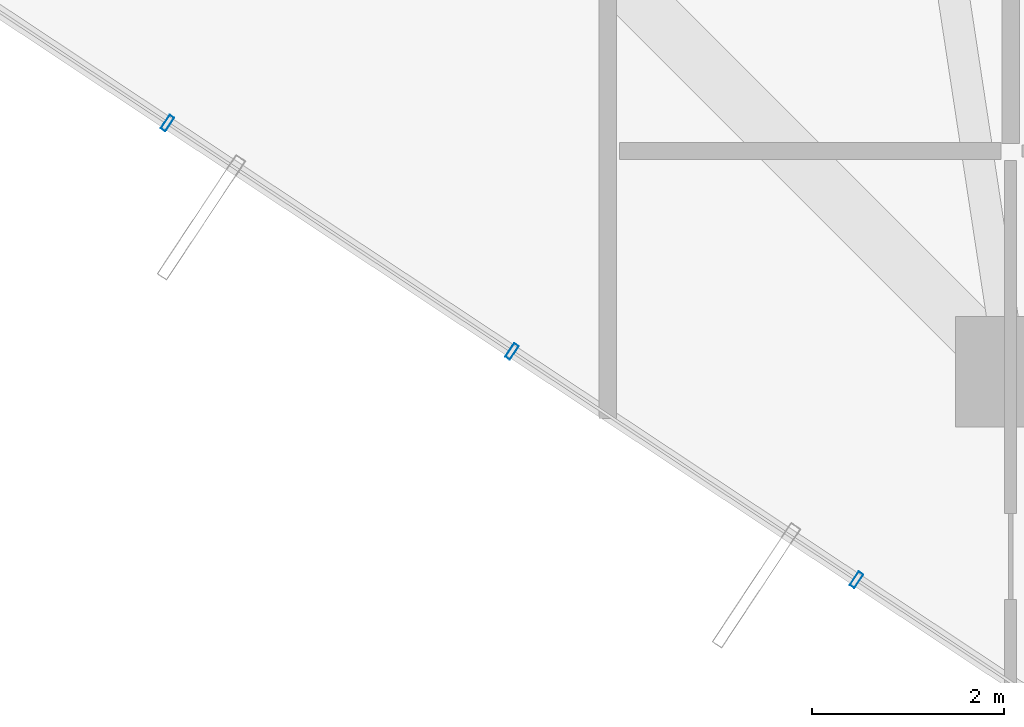
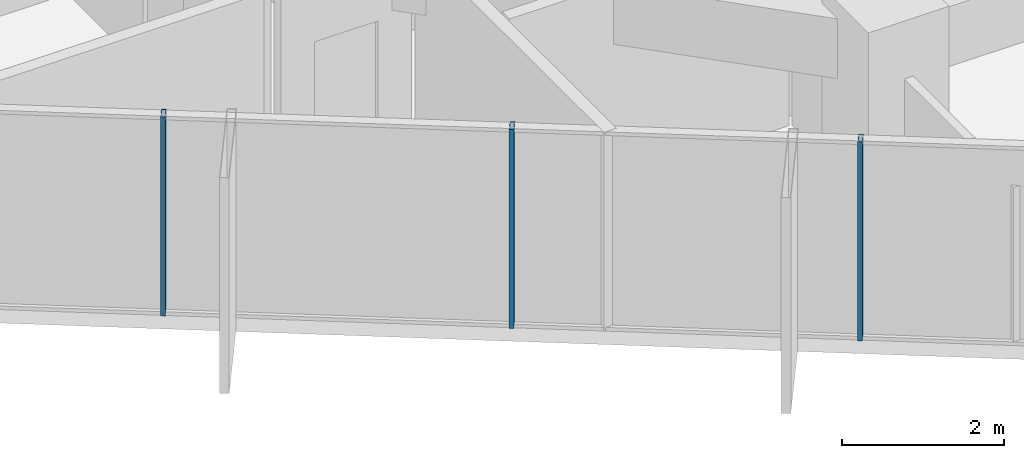
# One storey, part 2 of 30: 3 members, 1 element without a shape of its own.
"""IFC4 building model written with IfcOpenShell, lengths in metres."""

from ifc_helpers import new_model, si_unit, direction, frame, origin, origin_2d, place, context, subcontext, project, spatial, hollow_rectangle, extrude, source, transform, mapped, material, layer, layer_set, material_profile, profile_set, type_object, element, aggregate, save


model = new_model("IFC4")

# Units and contexts
model_context = context("Model", 3, precision=1e-05, world=origin(), true_north=direction((0.0, 1.0)))
body_context = subcontext(model_context, "Body", "Model", "MODEL_VIEW")
ifc_project = project(units=[si_unit("LENGTHUNIT", "METRE"), si_unit("AREAUNIT", "SQUARE_METRE"), si_unit("VOLUMEUNIT", "CUBIC_METRE"), si_unit("PLANEANGLEUNIT", "RADIAN"), si_unit("MASSUNIT", "GRAM", prefix="KILO")], contexts=[model_context])

# Site, building, storey
site_placement = place(None, origin())
site = spatial("IfcSite", under=ifc_project, at=site_placement, CompositionType="ELEMENT")
building_placement = place(site_placement, origin())
building = spatial("IfcBuilding", under=site, at=building_placement, Name="Veraguas Prism Commons", CompositionType="ELEMENT")
storey_placement = place(building_placement, frame((0.0, 0.0, 116.5)))
storey = spatial("IfcBuildingStorey", under=building, at=storey_placement, Name="L32", CompositionType="ELEMENT", Elevation=116.5)

# Curtain wall, members
ifc_material = material(Name="Anodised aluminium EN AW-6063 T6", Category="aluminium")
ifc_layer = layer(ifc_material, 0.169921875, Name="Unitised Flush Curtain Wall Zone 2", Category="aluminium")
ifc_layer_set = layer_set([ifc_layer], Name="Anodised aluminium EN AW-6063 T6")
curtain_wall_type = type_object("IfcCurtainWallType", Name="Unitised Flush Curtain Wall Zone 2", PredefinedType="NOTDEFINED", material=ifc_layer_set)
curtain_wall_placement = place(storey_placement, origin())
curtain_wall = element("IfcCurtainWall", 1, at=curtain_wall_placement, inside=storey, type_object=curtain_wall_type, Name="Tower Facade Curtain Wall L32-F4", PredefinedType="NOTDEFINED")
ifc_material_profile = material_profile(ifc_material, hollow_rectangle(XDim=0.06005859375, YDim=0.169921875, WallThickness=0.00390625, at=origin_2d()), Name="AL60X170X4")
ifc_profile_set = profile_set([ifc_material_profile], Name="Anodised aluminium EN AW-6063 T6")
member_type = type_object("IfcMemberType", Name="Curtain Wall Mullion Lower AL 60x170x4", PredefinedType="MULLION", material=ifc_profile_set)
shared_shape = source(origin(), body_context, "Body", "SweptSolid", [
    extrude(hollow_rectangle(XDim=0.06005859375, YDim=0.169921875, WallThickness=0.00390625, at=origin_2d()), origin(), (0.0, 0.0, 1.0), 3.0),
])
member_1_placement = place(storey_placement, frame((9.81005859375, 10.391845703125, 0.0), z_axis=(0.0, 0.0, 1.0), x_axis=(0.833504151469, -0.552513193945, 0.0)))
member_1 = element("IfcMember", 2, at=member_1_placement, type_object=member_type, Name="CW-Z2 Mullion 2", PredefinedType="MULLION", context=body_context, shape_type="MappedRepresentation", body=[
    mapped(shared_shape, transform((0.0, 0.0, 0.0), scale=1.0)),
])
member_2_placement = place(storey_placement, frame((13.4013671875, 8.011474609375, 0.0), z_axis=(0.0, 0.0, 1.0), x_axis=(0.833504151469, -0.552513193945, 0.0)))
member_2 = element("IfcMember", 3, at=member_2_placement, type_object=member_type, Name="CW-Z2 Mullion 3", PredefinedType="MULLION", context=body_context, shape_type="MappedRepresentation", body=[
    mapped(shared_shape, transform((0.0, 0.0, 0.0), scale=1.0)),
])
member_3_placement = place(storey_placement, frame((16.99267578125, 5.630859375, 0.0), z_axis=(0.0, 0.0, 1.0), x_axis=(0.833504151469, -0.552513193945, 0.0)))
member_3 = element("IfcMember", 4, at=member_3_placement, type_object=member_type, Name="CW-Z2 Mullion 4", PredefinedType="MULLION", context=body_context, shape_type="MappedRepresentation", body=[
    mapped(shared_shape, transform((0.0, 0.0, 0.0), scale=1.0)),
])
aggregate(curtain_wall, [member_1, member_2, member_3])

save(model, "model.ifc")
